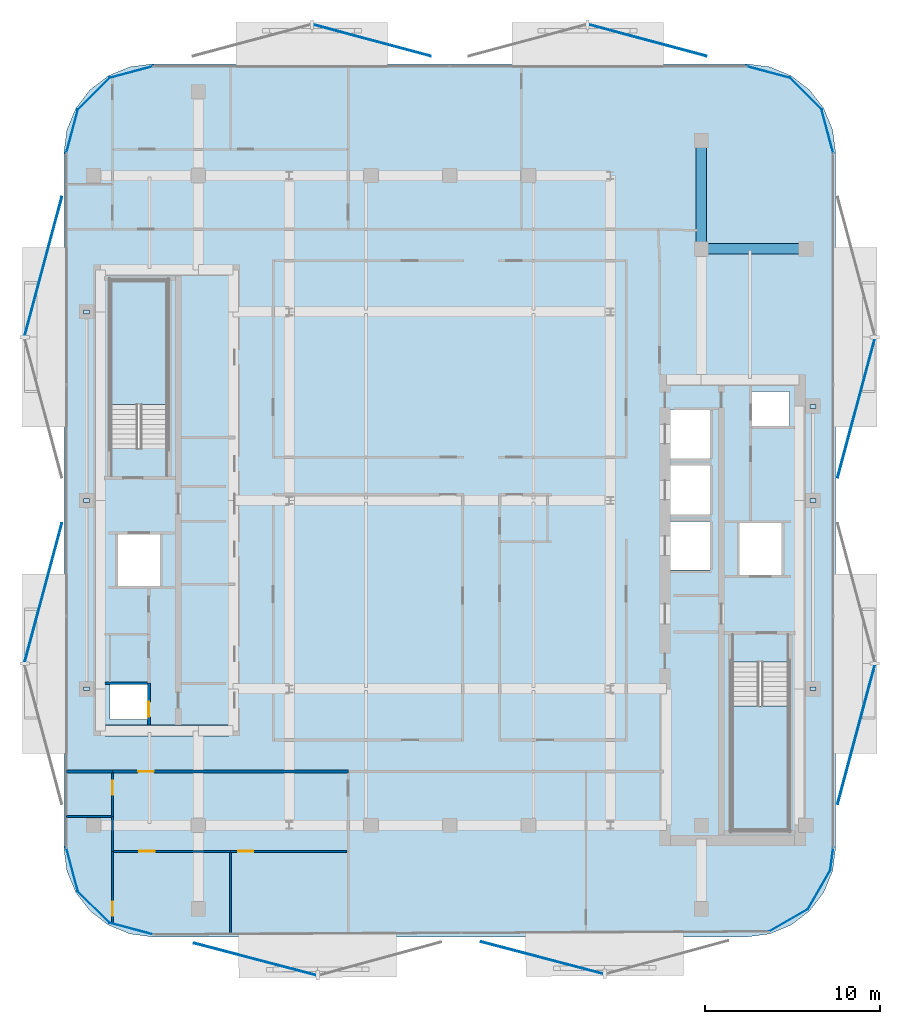
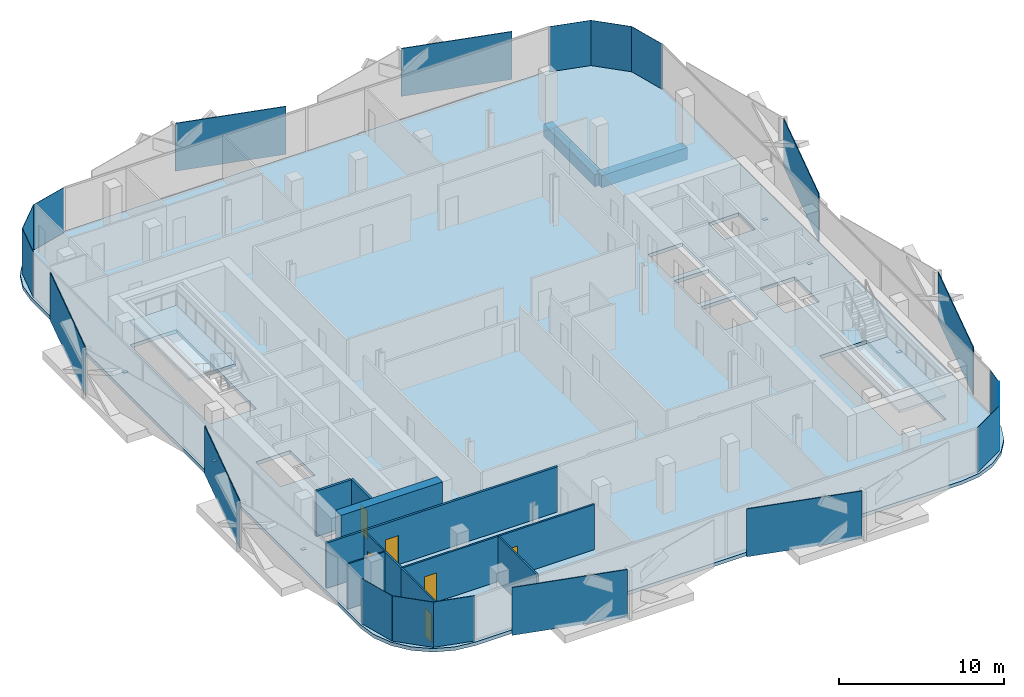
# One storey, part 2 of 14: 26 plates, 12 walls, 6 doors, 3 slabs, 2 beams, 6 openings, 2 elements without a shape of their own.
"""IFC4 building model written with IfcOpenShell, lengths in metres."""

from ifc_helpers import new_model, si_unit, direction, frame, frame_2d, origin, origin_2d, place, context, subcontext, project, spatial, polyline, rectangle, outline, extrude, material, layer, layer_set, material_profile, profile_set, type_object, element, fill, aggregate, save


model = new_model("IFC4")

# Units and contexts
model_context = context("Model", 3, precision=1e-05, world=origin(), true_north=direction((0.0, 1.0)))
body_context = subcontext(model_context, "Body", "Model", "MODEL_VIEW")
ifc_project = project(units=[si_unit("LENGTHUNIT", "METRE"), si_unit("AREAUNIT", "SQUARE_METRE"), si_unit("VOLUMEUNIT", "CUBIC_METRE"), si_unit("PLANEANGLEUNIT", "RADIAN"), si_unit("MASSUNIT", "GRAM", prefix="KILO")], contexts=[model_context])

# Site, building, storey
site_placement = place(None, origin())
site = spatial("IfcSite", under=ifc_project, at=site_placement, CompositionType="ELEMENT")
building_placement = place(site_placement, origin())
building = spatial("IfcBuilding", under=site, at=building_placement, Name="Khairoan Windgate Tower", CompositionType="ELEMENT")
storey_placement = place(building_placement, frame((0.0, 0.0, 236.800048828125)))
storey = spatial("IfcBuildingStorey", under=building, at=storey_placement, Name="L55", CompositionType="ELEMENT", Elevation=236.800048828125)

# Beams
ifc_material_1 = material(Name="Concrete C50/60", Category="concrete")
ifc_material_profile = material_profile(ifc_material_1, rectangle(XDim=0.60009765625, YDim=0.89990234375, at=origin_2d()))
ifc_profile_set = profile_set([ifc_material_profile], Name="Concrete C50/60")
beam_type = type_object("IfcBeamType", Name="Beam B-RC1 RC600x900", PredefinedType="BEAM", material=ifc_profile_set)
beam_1_placement = place(storey_placement, frame((14.39990234375, 14.39990234375, -0.7099609375), z_axis=(1.0, 0.0, 0.0), x_axis=(0.0, 1.0, 0.0)))
element("IfcBeam", 1, at=beam_1_placement, inside=storey, type_object=beam_type, Name="L55 E-W Primary Girder 21", PredefinedType="BEAM", context=body_context, shape_type="SweptSolid", body=[
    extrude(rectangle(XDim=0.60009765625, YDim=0.89990234375, at=origin_2d()), origin(), (0.0, 0.0, 1.0), 6.0),
])
beam_2_placement = place(storey_placement, frame((14.39990234375, 14.39990234375, -0.7099609375), z_axis=(0.0, 1.0, 0.0), x_axis=(-1.0, 0.0, 0.0)))
element("IfcBeam", 2, at=beam_2_placement, inside=storey, type_object=beam_type, Name="L55 N-S Primary Beam 53", PredefinedType="BEAM", context=body_context, shape_type="SweptSolid", body=[
    extrude(rectangle(XDim=0.60009765625, YDim=0.89990234375, at=origin_2d()), origin(), (0.0, 0.0, 1.0), 6.2001953125),
])

# Plates
ifc_material_2 = material(Name="Low-E Solar Control Laminated Glass", Category="glass")
ifc_layer_1 = layer(ifc_material_2, 0.030029296875, Name="Low-E Solar Control Laminated Glass")
ifc_layer_set_1 = layer_set([ifc_layer_1], Name="Low-E Solar Control Laminated Glass")
plate_type_1 = type_object("IfcPlateType", Name="Aerodynamic Wind-Corner Curved Glazing Plate", PredefinedType="USERDEFINED", material=ifc_layer_set_1)
plate_1_placement = place(storey_placement, frame((-18.235107421875, -24.527099609375, 0.0), z_axis=(0.0, 0.0, 1.0), x_axis=(-0.966061211211, 0.258313252067, 0.0)))
element("IfcPlate", 3, at=plate_1_placement, inside=storey, type_object=plate_type_1, Name="L55 Aerodynamic Wind-Corner Curved Glazing Panel 2", ObjectType="GLAZING PANEL", PredefinedType="USERDEFINED", context=body_context, shape_type="SweptSolid", body=[
    extrude(rectangle(XDim=2.6162109375, YDim=0.030029296875, at=origin_2d()), origin(), (0.0, 0.0, 1.0), 3.340087890625),
])
plate_2_placement = place(storey_placement, frame((-20.386962890625, -23.286865234375, 0.0), z_axis=(0.0, 0.0, 1.0), x_axis=(-0.707106781187, 0.707106781187, 0.0)))
element("IfcPlate", 4, at=plate_2_placement, inside=storey, type_object=plate_type_1, Name="L55 Aerodynamic Wind-Corner Curved Glazing Panel 3", ObjectType="GLAZING PANEL", PredefinedType="USERDEFINED", context=body_context, shape_type="SweptSolid", body=[
    extrude(rectangle(XDim=2.606689453125, YDim=0.030029296875, at=origin_2d()), origin(), (0.0, 0.0, 1.0), 3.340087890625),
])
for number, where, z_axis, x_axis, name in (
    (5, (-21.627197265625, -21.135009765625, 0.0), (0.0, 0.0, 1.0), (-0.258313252067, 0.966061211211, 0.0), "L55 Aerodynamic Wind-Corner Curved Glazing Panel 4"),
    (6, (-21.627197265625, 21.135009765625, 0.0), (0.0, 0.0, 1.0), (0.258313252067, 0.966061211211, 0.0), "L55 Aerodynamic Wind-Corner Curved Glazing Panel 6"),
):
    element("IfcPlate", number, at=place(storey_placement, frame(where, z_axis=z_axis, x_axis=x_axis)), inside=storey, type_object=plate_type_1, Name=name, ObjectType="GLAZING PANEL", PredefinedType="USERDEFINED", context=body_context, shape_type="SweptSolid", body=[
        extrude(rectangle(XDim=2.6162109375, YDim=0.030029296875, at=origin_2d()), origin(), (0.0, 0.0, 1.0), 3.340087890625),
    ])
plate_3_placement = place(storey_placement, frame((-20.386962890625, 23.286865234375, 0.0), z_axis=(0.0, 0.0, 1.0), x_axis=(0.707106781187, 0.707106781187, 0.0)))
element("IfcPlate", 7, at=plate_3_placement, inside=storey, type_object=plate_type_1, Name="L55 Aerodynamic Wind-Corner Curved Glazing Panel 7", ObjectType="GLAZING PANEL", PredefinedType="USERDEFINED", context=body_context, shape_type="SweptSolid", body=[
    extrude(rectangle(XDim=2.606689453125, YDim=0.030029296875, at=origin_2d()), origin(), (0.0, 0.0, 1.0), 3.340087890625),
])
for number, where, z_axis, x_axis, name in (
    (8, (-18.235107421875, 24.527099609375, 0.0), (0.0, 0.0, 1.0), (0.966061211211, 0.258313252067, 0.0), "L55 Aerodynamic Wind-Corner Curved Glazing Panel 8"),
    (9, (18.235107421875, 24.527099609375, 0.0), (0.0, 0.0, 1.0), (0.966061211211, -0.258313252067, 0.0), "L55 Aerodynamic Wind-Corner Curved Glazing Panel 10"),
):
    element("IfcPlate", number, at=place(storey_placement, frame(where, z_axis=z_axis, x_axis=x_axis)), inside=storey, type_object=plate_type_1, Name=name, ObjectType="GLAZING PANEL", PredefinedType="USERDEFINED", context=body_context, shape_type="SweptSolid", body=[
        extrude(rectangle(XDim=2.6162109375, YDim=0.030029296875, at=origin_2d()), origin(), (0.0, 0.0, 1.0), 3.340087890625),
    ])
plate_4_placement = place(storey_placement, frame((20.386962890625, 23.286865234375, 0.0), z_axis=(0.0, 0.0, 1.0), x_axis=(0.707106781187, -0.707106781187, 0.0)))
element("IfcPlate", 10, at=plate_4_placement, inside=storey, type_object=plate_type_1, Name="L55 Aerodynamic Wind-Corner Curved Glazing Panel 11", ObjectType="GLAZING PANEL", PredefinedType="USERDEFINED", context=body_context, shape_type="SweptSolid", body=[
    extrude(rectangle(XDim=2.606689453125, YDim=0.030029296875, at=origin_2d()), origin(), (0.0, 0.0, 1.0), 3.340087890625),
])
plate_5_placement = place(storey_placement, frame((21.627197265625, 21.135009765625, 0.0), z_axis=(0.0, 0.0, 1.0), x_axis=(0.258313252067, -0.966061211211, 0.0)))
element("IfcPlate", 11, at=plate_5_placement, inside=storey, type_object=plate_type_1, Name="L55 Aerodynamic Wind-Corner Curved Glazing Panel 12", ObjectType="GLAZING PANEL", PredefinedType="USERDEFINED", context=body_context, shape_type="SweptSolid", body=[
    extrude(rectangle(XDim=2.6162109375, YDim=0.030029296875, at=origin_2d()), origin(), (0.0, 0.0, 1.0), 3.340087890625),
])
plate_6_placement = place(storey_placement, frame((21.875, -20.537109375, 0.0), z_axis=(0.0, 0.0, 1.0), x_axis=(-0.13052619222, -0.991444861374, 0.0)))
element("IfcPlate", 12, at=plate_6_placement, inside=storey, type_object=plate_type_1, Name="L55 Aerodynamic Wind-Corner Curved Glazing Panel 14", ObjectType="GLAZING PANEL", PredefinedType="USERDEFINED", context=body_context, shape_type="SweptSolid", body=[
    extrude(rectangle(XDim=1.343994140625, YDim=0.030029296875, at=origin_2d()), origin(), (0.0, 0.0, 1.0), 3.340087890625),
])
for number, where, z_axis, x_axis, name in (
    (13, (21.148193359375, -22.294921875, 0.0), (0.0, 0.0, 1.0), (-0.5, -0.866025403784, 0.0), "L55 Aerodynamic Wind-Corner Curved Glazing Panel 15"),
    (14, (19.39501953125, -24.048095703125, 0.0), (0.0, 0.0, 1.0), (-0.866025403784, -0.5, 0.0), "L55 Aerodynamic Wind-Corner Curved Glazing Panel 16"),
):
    element("IfcPlate", number, at=place(storey_placement, frame(where, z_axis=z_axis, x_axis=x_axis)), inside=storey, type_object=plate_type_1, Name=name, ObjectType="GLAZING PANEL", PredefinedType="USERDEFINED", context=body_context, shape_type="SweptSolid", body=[
        extrude(rectangle(XDim=2.606689453125, YDim=0.030029296875, at=origin_2d()), origin(), (0.0, 0.0, 1.0), 3.340087890625),
    ])
ifc_material_3 = material(Name="Steel S355", Category="steel")
ifc_layer_2 = layer(ifc_material_3, 0.0400390625, Name="Steel S355")
ifc_layer_set_2 = layer_set([ifc_layer_2], Name="Steel S355")
plate_type_2 = type_object("IfcPlateType", Name="Hollow Section End-Cap Plate PL-CAP40", PredefinedType="SHEET", material=ifc_layer_set_2)
for number, where, z_axis, x_axis, name in (
    (15, (-20.800048828125, -10.784912109375, -0.43017578125), (0.0, 0.0, 1.0), (0.0, 1.0, 0.0), "BM-SP-L55-028 steel end-cap plate 1"),
    (16, (-20.800048828125, -0.014892578125, -0.43017578125), (0.0, 0.0, 1.0), (0.0, 1.0, 0.0), "BM-SP-L55-028 steel end-cap plate 2"),
    (17, (-20.800048828125, 10.784912109375, -0.43017578125), (0.0, 0.0, 1.0), (0.0, 1.0, 0.0), "BM-SP-L55-029 steel end-cap plate 2"),
    (18, (20.800048828125, -10.784912109375, -0.43017578125), (0.0, 0.0, 1.0), (0.0, 1.0, 0.0), "BM-SP-L55-057 steel end-cap plate 1"),
    (19, (20.800048828125, -0.014892578125, -0.43017578125), (0.0, 0.0, 1.0), (0.0, 1.0, 0.0), "BM-SP-L55-057 steel end-cap plate 2"),
    (20, (20.800048828125, 5.385009765625, -0.43017578125), (0.0, 0.0, 1.0), (0.0, 1.0, 0.0), "BM-SP-L55-058 steel end-cap plate 2"),
):
    element("IfcPlate", number, at=place(storey_placement, frame(where, z_axis=z_axis, x_axis=x_axis)), inside=storey, type_object=plate_type_2, Name=name, PredefinedType="SHEET", context=body_context, shape_type="SweptSolid", body=[
        extrude(rectangle(XDim=0.219970703125, YDim=0.320068359375, at=origin_2d()), origin(), (0.0, 0.0, 1.0), 0.0400390625),
    ])
ifc_material_4 = material(Name="Anodised Bronze Aluminium 6063-T6", Category="aluminium")
ifc_layer_3 = layer(ifc_material_4, 0.054931640625, Name="Anodised Bronze Aluminium 6063-T6")
ifc_layer_set_3 = layer_set([ifc_layer_3], Name="Anodised Bronze Aluminium 6063-T6")
plate_type_3 = type_object("IfcPlateType", Name="Perforated Bronze Solar Screen Upper Panel BSP-2", PredefinedType="USERDEFINED", material=ifc_layer_set_3)
for number, where, z_axis, x_axis, name in (
    (21, (5.289306640625, -26.196533203125, -0.10009765625), (0.0, 0.0, 1.0), (-0.967179115616, 0.254095569259, 0.0), "L55 Perforated Bronze Solar Screen Panel 369R"),
    (22, (-11.14794921875, -26.27587890625, -0.10009765625), (0.0, 0.0, 1.0), (-0.967179115616, 0.254095569259, 0.0), "L55 Perforated Bronze Solar Screen Panel 370R"),
):
    element("IfcPlate", number, at=place(storey_placement, frame(where, z_axis=z_axis, x_axis=x_axis)), inside=storey, type_object=plate_type_3, Name=name, ObjectType="SCREEN", PredefinedType="USERDEFINED", context=body_context, shape_type="SweptSolid", body=[
        extrude(rectangle(XDim=7.23193359375, YDim=0.054931640625, at=origin_2d()), origin(), (0.0, 0.0, 1.0), 3.5400390625),
    ])
for number, where, z_axis, x_axis, name in (
    (23, (-23.275634765625, -5.283447265625, -0.10009765625), (0.0, 0.0, 1.0), (0.258819045103, 0.965925826289, 0.0), "L55 Perforated Bronze Solar Screen Panel 371R"),
    (24, (-23.275634765625, 13.4072265625, -0.10009765625), (0.0, 0.0, 1.0), (0.258819045103, 0.965925826289, 0.0), "L55 Perforated Bronze Solar Screen Panel 372R"),
):
    element("IfcPlate", number, at=place(storey_placement, frame(where, z_axis=z_axis, x_axis=x_axis)), inside=storey, type_object=plate_type_3, Name=name, ObjectType="SCREEN", PredefinedType="USERDEFINED", context=body_context, shape_type="SweptSolid", body=[
        extrude(rectangle(XDim=8.22412109375, YDim=0.054931640625, at=origin_2d()), origin(), (0.0, 0.0, 1.0), 3.5400390625),
    ])
for number, where, z_axis, x_axis, name in (
    (25, (-4.44970703125, 26.3408203125, -0.10009765625), (0.0, 0.0, 1.0), (0.965925826289, -0.258819045103, 0.0), "L55 Perforated Bronze Solar Screen Panel 373R"),
    (26, (11.341064453125, 26.3408203125, -0.10009765625), (0.0, 0.0, 1.0), (0.965925826289, -0.258819045103, 0.0), "L55 Perforated Bronze Solar Screen Panel 374R"),
):
    element("IfcPlate", number, at=place(storey_placement, frame(where, z_axis=z_axis, x_axis=x_axis)), inside=storey, type_object=plate_type_3, Name=name, ObjectType="SCREEN", PredefinedType="USERDEFINED", context=body_context, shape_type="SweptSolid", body=[
        extrude(rectangle(XDim=6.947998046875, YDim=0.054931640625, at=origin_2d()), origin(), (0.0, 0.0, 1.0), 3.5400390625),
    ])
for number, where, z_axis, x_axis, name in (
    (27, (23.275634765625, 5.283447265625, -0.10009765625), (0.0, 0.0, 1.0), (-0.258819045103, -0.965925826289, 0.0), "L55 Perforated Bronze Solar Screen Panel 375R"),
    (28, (23.275634765625, -13.4072265625, -0.10009765625), (0.0, 0.0, 1.0), (-0.258819045103, -0.965925826289, 0.0), "L55 Perforated Bronze Solar Screen Panel 376R"),
):
    element("IfcPlate", number, at=place(storey_placement, frame(where, z_axis=z_axis, x_axis=x_axis)), inside=storey, type_object=plate_type_3, Name=name, ObjectType="SCREEN", PredefinedType="USERDEFINED", context=body_context, shape_type="SweptSolid", body=[
        extrude(rectangle(XDim=8.22412109375, YDim=0.054931640625, at=origin_2d()), origin(), (0.0, 0.0, 1.0), 3.5400390625),
    ])

# Stair, slab
ifc_material_5 = material(Name="Concrete C40/50", Category="concrete")
stair_type = type_object("IfcStairType", Name="Tower Core Dog-Leg Stair ST-T1 1560mm", PredefinedType="HALF_TURN_STAIR", material=ifc_material_5)
stair_1_placement = place(storey_placement, origin())
stair_1 = element("IfcStair", 29, at=stair_1_placement, inside=storey, type_object=stair_type, Name="L55 Stair ST1", PredefinedType="HALF_TURN_STAIR")
ifc_material_6 = material(Name="Concrete C40/50", Category="concrete")
ifc_layer_4 = layer(ifc_material_6, 0.199951171875, Name="Concrete C40/50")
ifc_layer_set_4 = layer_set([ifc_layer_4], Name="Concrete C40/50")
slab_type_1 = type_object("IfcSlabType", Name="Reinforced Concrete Stair Landing Slab STL-200", PredefinedType="LANDING", material=ifc_layer_set_4)
slab_1_placement = place(storey_placement, frame((0.0, 0.0, 1.599853515625)))
slab_1 = element("IfcSlab", 30, at=slab_1_placement, type_object=slab_type_1, Name="ST1 landing 1", PredefinedType="LANDING", context=body_context, shape_type="SweptSolid", body=[
    extrude(outline(polyline([(16.14990234375, -11.780029296875), (16.14990234375, -18.89990234375), (19.419921875, -18.89990234375), (19.419921875, -11.780029296875), (16.14990234375, -11.780029296875)])), origin(), (0.0, 0.0, 1.0), 0.2001953125),
])
aggregate(stair_1, [slab_1])

stair_2_placement = place(storey_placement, origin())
stair_2 = element("IfcStair", 31, at=stair_2_placement, inside=storey, type_object=stair_type, Name="L55 Stair ST2", PredefinedType="HALF_TURN_STAIR")
slab_2_placement = place(storey_placement, frame((0.0, 0.0, 1.599853515625)))
slab_2 = element("IfcSlab", 32, at=slab_2_placement, type_object=slab_type_1, Name="ST2 landing 1", PredefinedType="LANDING", context=body_context, shape_type="SweptSolid", body=[
    extrude(outline(polyline([(-16.14990234375, 5.47998046875), (-16.14990234375, 12.60009765625), (-19.419921875, 12.60009765625), (-19.419921875, 5.47998046875), (-16.14990234375, 5.47998046875)])), origin(), (0.0, 0.0, 1.0), 0.2001953125),
])
aggregate(stair_2, [slab_2])

# Slab
ifc_material_7 = material(Name="Concrete C40/50", Category="concrete")
ifc_layer_5 = layer(ifc_material_7, 0.260009765625, Name="Concrete C40/50")
ifc_layer_set_5 = layer_set([ifc_layer_5], Name="Concrete C40/50")
slab_type_2 = type_object("IfcSlabType", Name="Tower Composite Floor Slab FS2 260mm", PredefinedType="FLOOR", material=ifc_layer_set_5)
slab_3_placement = place(storey_placement, frame((0.0, 0.0, -0.260009765625)))
element("IfcSlab", 33, at=slab_3_placement, inside=storey, type_object=slab_type_2, Name="L55 Structural Floor Slab", PredefinedType="FLOOR", context=body_context, shape_type="SweptSolid", body=[
    extrude(outline(polyline([(17.0, -25.0), (18.320068359375, -24.826171875), (19.550048828125, -24.316650390625), (20.606201171875, -23.506103515625), (21.416748046875, -22.449951171875), (21.92626953125, -21.219970703125), (22.10009765625, -19.89990234375), (22.10009765625, 19.89990234375), (21.92626953125, 21.219970703125), (21.416748046875, 22.449951171875), (20.606201171875, 23.506103515625), (19.550048828125, 24.316650390625), (18.320068359375, 24.826171875), (17.0, 25.0), (-17.0, 25.0), (-18.320068359375, 24.826171875), (-19.550048828125, 24.316650390625), (-20.606201171875, 23.506103515625), (-21.416748046875, 22.449951171875), (-21.92626953125, 21.219970703125), (-22.10009765625, 19.89990234375), (-22.10009765625, -19.89990234375), (-21.92626953125, -21.219970703125), (-21.416748046875, -22.449951171875), (-20.606201171875, -23.506103515625), (-19.550048828125, -24.316650390625), (-18.320068359375, -24.826171875), (-17.0, -25.0), (17.0, -25.0)]), holes=[polyline([(16.14990234375, -9.260009765625), (16.14990234375, -18.89990234375), (19.419921875, -18.89990234375), (19.419921875, -9.260009765625), (16.14990234375, -9.260009765625)]), polyline([(-16.14990234375, 2.9599609375), (-16.14990234375, 12.60009765625), (-19.419921875, 12.60009765625), (-19.419921875, 2.9599609375), (-16.14990234375, 2.9599609375)]), polyline([(12.5, 2.39990234375), (14.89990234375, 2.39990234375), (14.89990234375, 5.199951171875), (12.5, 5.199951171875), (12.5, 2.39990234375)]), polyline([(12.5, -0.800048828125), (14.89990234375, -0.800048828125), (14.89990234375, 2.0), (12.5, 2.0), (12.5, -0.800048828125)]), polyline([(12.5, -4.0), (14.89990234375, -4.0), (14.89990234375, -1.199951171875), (12.5, -1.199951171875), (12.5, -4.0)]), polyline([(16.60009765625, -4.300048828125), (19.0, -4.300048828125), (19.0, -1.300048828125), (16.60009765625, -1.300048828125), (16.60009765625, -4.300048828125)]), polyline([(-19.0, -4.89990234375), (-16.60009765625, -4.89990234375), (-16.60009765625, -1.89990234375), (-19.0, -1.89990234375), (-19.0, -4.89990234375)]), polyline([(-19.449951171875, -12.550048828125), (-17.31005859375, -12.550048828125), (-17.31005859375, -10.550048828125), (-19.449951171875, -10.550048828125), (-19.449951171875, -12.550048828125)]), polyline([(17.31005859375, 4.25), (19.449951171875, 4.25), (19.449951171875, 6.25), (17.31005859375, 6.25), (17.31005859375, 4.25)])]), origin(), (0.0, 0.0, 1.0), 0.260009765625),
])

# Wall
ifc_material_8 = material(Name="Moisture-Resistant Gypsum Partition", Category="gypsum")
ifc_layer_6 = layer(ifc_material_8, 0.10009765625, Name="Moisture-Resistant Gypsum Partition")
ifc_layer_set_6 = layer_set([ifc_layer_6], Name="Moisture-Resistant Gypsum Partition")
wall_type_1 = type_object("IfcWallType", Name="Bathroom Wet-Area Partition Wall", PredefinedType="PARTITIONING", material=ifc_layer_set_6)
wall_1_placement = place(storey_placement, frame((-21.955078125, -18.10009765625, 0.0), z_axis=(0.0, 0.0, 1.0), x_axis=(1.0, 0.0, 0.0)))
element("IfcWall", 34, at=wall_1_placement, inside=storey, type_object=wall_type_1, Name="L55 Interior Partition 047", PredefinedType="PARTITIONING", context=body_context, shape_type="SweptSolid", body=[
    extrude(rectangle(XDim=2.594970703125, YDim=0.10009765625, at=frame_2d((1.29736328125, 0.0))), origin(), (0.0, 0.0, 1.0), 3.33984375),
])

# Wall, opening, door
wall_2_placement = place(storey_placement, frame((-19.31005859375, -18.10009765625, 0.0), z_axis=(0.0, 0.0, 1.0), x_axis=(0.0, 1.0, 0.0)))
wall_2 = element("IfcWall", 35, at=wall_2_placement, inside=storey, type_object=wall_type_1, Name="L55 Interior Partition 048", PredefinedType="PARTITIONING", context=body_context, shape_type="SweptSolid", body=[
    extrude(rectangle(XDim=2.5, YDim=0.10009765625, at=frame_2d((1.25, 0.0))), origin(), (0.0, 0.0, 1.0), 3.33984375),
])
opening_1_placement = place(wall_2_placement, frame((1.239990234375, 0.0, 0.0)))
opening_1 = element("IfcOpeningElement", 36, at=opening_1_placement, cuts=wall_2, Name="Opening ID-BTH", PredefinedType="OPENING", context=body_context, shape_type="SweptSolid", body=[
    extrude(rectangle(XDim=0.800048828125, YDim=2.10009765625, at=frame_2d((0.39990234375, 1.050048828125))), frame((0.0, 0.06005859375, 0.0), z_axis=(0.0, -1.0, 0.0), x_axis=(1.0, 0.0, 0.0)), (0.0, 0.0, 1.0), 0.1201171875),
])
ifc_material_9 = material(Name="Teak Veneer Timber Leaf", Category="wood")
door_type_1 = type_object("IfcDoorType", Name="Internal Bathroom Door ID-BTH 800x2100", OperationType="NOTDEFINED", PredefinedType="DOOR", material=ifc_material_9)
door_1_placement = place(opening_1_placement, origin())
door_1 = element("IfcDoor", 37, at=door_1_placement, inside=storey, type_object=door_type_1, Name="L55 L55-39-L55-41 Door", OperationType="SINGLE_SWING_LEFT", OverallHeight=2.10009765625, OverallWidth=0.800048828125, PredefinedType="DOOR", context=body_context, shape_type="SweptSolid", body=[
    extrude(rectangle(XDim=0.800048828125, YDim=2.10009765625, at=frame_2d((0.39990234375, 1.050048828125))), frame((0.0, 0.02490234375, 0.0), z_axis=(0.0, -1.0, 0.0), x_axis=(1.0, 0.0, 0.0)), (0.0, 0.0, 1.0), 0.050048828125),
])
fill(opening_1, door_1)

# Wall
ifc_material_10 = material(Name="Gypsum Stud Partition", Category="gypsum")
ifc_layer_7 = layer(ifc_material_10, 0.1201171875, Name="Gypsum Stud Partition")
ifc_layer_set_7 = layer_set([ifc_layer_7], Name="Gypsum Stud Partition")
wall_type_2 = type_object("IfcWallType", Name="Internal Room Partition Wall", PredefinedType="PARTITIONING", material=ifc_layer_set_7)
wall_3_placement = place(storey_placement, frame((-19.31005859375, -20.10009765625, 0.0), z_axis=(0.0, 0.0, 1.0), x_axis=(0.0, 1.0, 0.0)))
element("IfcWall", 38, at=wall_3_placement, inside=storey, type_object=wall_type_2, Name="L55 Interior Partition 049", PredefinedType="PARTITIONING", context=body_context, shape_type="SweptSolid", body=[
    extrude(rectangle(XDim=2.0, YDim=0.1201171875, at=frame_2d((1.0, 0.0))), origin(), (0.0, 0.0, 1.0), 3.33984375),
])

# Wall, opening, door
wall_4_placement = place(storey_placement, frame((-19.31005859375, -24.234619140625, 0.0), z_axis=(0.0, 0.0, 1.0), x_axis=(0.0, 1.0, 0.0)))
wall_4 = element("IfcWall", 39, at=wall_4_placement, inside=storey, type_object=wall_type_2, Name="L55 Interior Partition 050", PredefinedType="PARTITIONING", context=body_context, shape_type="SweptSolid", body=[
    extrude(rectangle(XDim=4.134521484375, YDim=0.1201171875, at=frame_2d((2.0673828125, 0.0))), origin(), (0.0, 0.0, 1.0), 3.33984375),
])
opening_2_placement = place(wall_4_placement, frame((0.4599609375, 0.0, 0.0)))
opening_2 = element("IfcOpeningElement", 40, at=opening_2_placement, cuts=wall_4, Name="Opening ID-BTH", PredefinedType="OPENING", context=body_context, shape_type="SweptSolid", body=[
    extrude(rectangle(XDim=0.800048828125, YDim=2.10009765625, at=frame_2d((0.39990234375, 1.050048828125))), frame((0.0, 0.070068359375, 0.0), z_axis=(0.0, -1.0, 0.0), x_axis=(1.0, 0.0, 0.0)), (0.0, 0.0, 1.0), 0.14013671875),
])
door_2_placement = place(opening_2_placement, origin())
door_2 = element("IfcDoor", 41, at=door_2_placement, inside=storey, type_object=door_type_1, Name="L55 L55-40-L55-44 Door", OperationType="SINGLE_SWING_LEFT", OverallHeight=2.10009765625, OverallWidth=0.800048828125, PredefinedType="DOOR", context=body_context, shape_type="SweptSolid", body=[
    extrude(rectangle(XDim=0.800048828125, YDim=2.10009765625, at=frame_2d((0.39990234375, 1.050048828125))), frame((0.0, 0.02490234375, 0.0), z_axis=(0.0, -1.0, 0.0), x_axis=(1.0, 0.0, 0.0)), (0.0, 0.0, 1.0), 0.050048828125),
])
fill(opening_2, door_2)

wall_5_placement = place(storey_placement, frame((-19.25, -20.10009765625, 0.0), z_axis=(0.0, 0.0, 1.0), x_axis=(1.0, 0.0, 0.0)))
wall_5 = element("IfcWall", 42, at=wall_5_placement, inside=storey, type_object=wall_type_2, Name="L55 Interior Partition 052", PredefinedType="PARTITIONING", context=body_context, shape_type="SweptSolid", body=[
    extrude(rectangle(XDim=6.68994140625, YDim=0.1201171875, at=frame_2d((3.344970703125, 0.0))), origin(), (0.0, 0.0, 1.0), 3.33984375),
])
opening_3_placement = place(wall_5_placement, frame((1.48291015625, 0.0, 0.0)))
opening_3 = element("IfcOpeningElement", 43, at=opening_3_placement, cuts=wall_5, Name="Opening ID-RM", PredefinedType="OPENING", context=body_context, shape_type="SweptSolid", body=[
    extrude(rectangle(XDim=0.860107421875, YDim=2.14990234375, at=frame_2d((0.43017578125, 1.074951171875))), frame((0.0, 0.070068359375, 0.0), z_axis=(0.0, -1.0, 0.0), x_axis=(1.0, 0.0, 0.0)), (0.0, 0.0, 1.0), 0.14013671875),
])
ifc_material_11 = material(Name="Teak Veneer Timber Leaf", Category="wood")
door_type_2 = type_object("IfcDoorType", Name="Internal Bedroom and Office Door ID-RM 860x2150", OperationType="NOTDEFINED", PredefinedType="DOOR", material=ifc_material_11)
door_3_placement = place(opening_3_placement, origin())
door_3 = element("IfcDoor", 44, at=door_3_placement, inside=storey, type_object=door_type_2, Name="L55 L55-41-L55-44 Door", OperationType="SINGLE_SWING_RIGHT", OverallHeight=2.14990234375, OverallWidth=0.860107421875, PredefinedType="DOOR", context=body_context, shape_type="SweptSolid", body=[
    extrude(rectangle(XDim=0.860107421875, YDim=2.14990234375, at=frame_2d((0.43017578125, 1.074951171875))), frame((0.0, 0.02490234375, 0.0), z_axis=(0.0, -1.0, 0.0), x_axis=(1.0, 0.0, 0.0)), (0.0, 0.0, 1.0), 0.050048828125),
])
fill(opening_3, door_3)

wall_6_placement = place(storey_placement, frame((-12.56005859375, -20.10009765625, 0.0), z_axis=(0.0, 0.0, 1.0), x_axis=(1.0, 0.0, 0.0)))
wall_6 = element("IfcWall", 45, at=wall_6_placement, inside=storey, type_object=wall_type_2, Name="L55 Interior Partition 053", PredefinedType="PARTITIONING", context=body_context, shape_type="SweptSolid", body=[
    extrude(rectangle(XDim=6.68994140625, YDim=0.1201171875, at=frame_2d((3.344970703125, 0.0))), origin(), (0.0, 0.0, 1.0), 3.33984375),
])
opening_4_placement = place(wall_6_placement, frame((0.4599609375, 0.0, 0.0)))
opening_4 = element("IfcOpeningElement", 46, at=opening_4_placement, cuts=wall_6, Name="Opening ID-RM", PredefinedType="OPENING", context=body_context, shape_type="SweptSolid", body=[
    extrude(rectangle(XDim=0.860107421875, YDim=2.14990234375, at=frame_2d((0.43017578125, 1.074951171875))), frame((0.0, 0.070068359375, 0.0), z_axis=(0.0, -1.0, 0.0), x_axis=(1.0, 0.0, 0.0)), (0.0, 0.0, 1.0), 0.14013671875),
])
door_4_placement = place(opening_4_placement, origin())
door_4 = element("IfcDoor", 47, at=door_4_placement, inside=storey, type_object=door_type_2, Name="L55 L55-41-L55-45 Door", OperationType="SINGLE_SWING_LEFT", OverallHeight=2.14990234375, OverallWidth=0.860107421875, PredefinedType="DOOR", context=body_context, shape_type="SweptSolid", body=[
    extrude(rectangle(XDim=0.860107421875, YDim=2.14990234375, at=frame_2d((0.43017578125, 1.074951171875))), frame((0.0, 0.02490234375, 0.0), z_axis=(0.0, -1.0, 0.0), x_axis=(1.0, 0.0, 0.0)), (0.0, 0.0, 1.0), 0.050048828125),
])
fill(opening_4, door_4)

# Wall
wall_7_placement = place(storey_placement, frame((-12.56005859375, -24.83349609375, 0.0), z_axis=(0.0, 0.0, 1.0), x_axis=(0.0, 1.0, 0.0)))
element("IfcWall", 48, at=wall_7_placement, inside=storey, type_object=wall_type_2, Name="L55 Interior Partition 056", PredefinedType="PARTITIONING", context=body_context, shape_type="SweptSolid", body=[
    extrude(rectangle(XDim=4.673583984375, YDim=0.1201171875, at=frame_2d((2.3369140625, 0.0))), origin(), (0.0, 0.0, 1.0), 3.33984375),
])

# Wall, opening, door
ifc_material_12 = material(Name="Concrete C40/50", Category="concrete")
ifc_layer_8 = layer(ifc_material_12, 0.159912109375, Name="Concrete C40/50")
ifc_layer_set_8 = layer_set([ifc_layer_8], Name="Concrete C40/50")
wall_type_3 = type_object("IfcWallType", Name="Plant and Refuge Compartment Wall", PredefinedType="PARTITIONING", material=ifc_layer_set_8)
wall_8_placement = place(storey_placement, frame((-17.22998046875, -12.85009765625, 0.0), z_axis=(0.0, 0.0, 1.0), x_axis=(0.0, 1.0, 0.0)))
wall_8 = element("IfcWall", 49, at=wall_8_placement, inside=storey, type_object=wall_type_3, Name="L55 Interior Partition 001", PredefinedType="PARTITIONING", context=body_context, shape_type="SweptSolid", body=[
    extrude(rectangle(XDim=2.380126953125, YDim=0.159912109375, at=frame_2d((1.18994140625, 0.0))), origin(), (0.0, 0.0, 1.0), 3.33984375),
])
opening_5_placement = place(wall_8_placement, frame((0.4599609375, 0.0, 0.0)))
opening_5 = element("IfcOpeningElement", 50, at=opening_5_placement, cuts=wall_8, Name="Opening FD-SRV", PredefinedType="OPENING", context=body_context, shape_type="SweptSolid", body=[
    extrude(rectangle(XDim=0.85009765625, YDim=2.10009765625, at=frame_2d((0.425048828125, 1.050048828125))), frame((0.0, 0.08984375, 0.0), z_axis=(0.0, -1.0, 0.0), x_axis=(1.0, 0.0, 0.0)), (0.0, 0.0, 1.0), 0.179931640625),
])
ifc_material_13 = material(Name="Steel S355", Category="steel")
door_type_3 = type_object("IfcDoorType", Name="Core Service and Riser Fire Door FD-SRV 850x2100", OperationType="NOTDEFINED", PredefinedType="DOOR", material=ifc_material_13)
door_5_placement = place(opening_5_placement, origin())
door_5 = element("IfcDoor", 51, at=door_5_placement, inside=storey, type_object=door_type_3, Name="L55 L55-04-L55-05 Door", OperationType="SINGLE_SWING_RIGHT", OverallHeight=2.10009765625, OverallWidth=0.85009765625, PredefinedType="DOOR", context=body_context, shape_type="SweptSolid", body=[
    extrude(rectangle(XDim=0.85009765625, YDim=2.10009765625, at=frame_2d((0.425048828125, 1.050048828125))), frame((0.0, 0.02490234375, 0.0), z_axis=(0.0, -1.0, 0.0), x_axis=(1.0, 0.0, 0.0)), (0.0, 0.0, 1.0), 0.050048828125),
])
fill(opening_5, door_5)

# Walls
wall_9_placement = place(storey_placement, frame((-19.75, -10.469970703125, 0.0), z_axis=(0.0, 0.0, 1.0), x_axis=(1.0, 0.0, 0.0)))
element("IfcWall", 52, at=wall_9_placement, inside=storey, type_object=wall_type_3, Name="L55 Interior Partition 004", PredefinedType="PARTITIONING", context=body_context, shape_type="SweptSolid", body=[
    extrude(rectangle(XDim=2.43994140625, YDim=0.159912109375, at=frame_2d((1.219970703125, 0.0))), origin(), (0.0, 0.0, 1.0), 3.33984375),
])
ifc_material_14 = material(Name="Acoustic Fire-Rated Gypsum Partition", Category="gypsum")
ifc_layer_9 = layer(ifc_material_14, 0.14990234375, Name="Acoustic Fire-Rated Gypsum Partition")
ifc_layer_set_9 = layer_set([ifc_layer_9], Name="Acoustic Fire-Rated Gypsum Partition")
wall_type_4 = type_object("IfcWallType", Name="Rated Corridor Partition Wall", PredefinedType="PARTITIONING", material=ifc_layer_set_9)
wall_10_placement = place(storey_placement, frame((-21.955078125, -15.52490234375, 0.0), z_axis=(0.0, 0.0, 1.0), x_axis=(1.0, 0.0, 0.0)))
element("IfcWall", 53, at=wall_10_placement, inside=storey, type_object=wall_type_4, Name="L55 Interior Partition 030", PredefinedType="PARTITIONING", context=body_context, shape_type="SweptSolid", body=[
    extrude(rectangle(XDim=2.64501953125, YDim=0.14990234375, at=frame_2d((1.322509765625, 0.0))), origin(), (0.0, 0.0, 1.0), 3.33984375),
])

# Wall, opening, door
wall_11_placement = place(storey_placement, frame((-19.31005859375, -15.52490234375, 0.0), z_axis=(0.0, 0.0, 1.0), x_axis=(1.0, 0.0, 0.0)))
wall_11 = element("IfcWall", 54, at=wall_11_placement, inside=storey, type_object=wall_type_4, Name="L55 Interior Partition 031", PredefinedType="PARTITIONING", context=body_context, shape_type="SweptSolid", body=[
    extrude(rectangle(XDim=13.5, YDim=0.14990234375, at=frame_2d((6.75, 0.0))), origin(), (0.0, 0.0, 1.0), 3.33984375),
])
opening_6_placement = place(wall_11_placement, frame((1.466796875, 0.0, 0.0)))
opening_6 = element("IfcOpeningElement", 55, at=opening_6_placement, cuts=wall_11, Name="Opening FD-ENT", PredefinedType="OPENING", context=body_context, shape_type="SweptSolid", body=[
    extrude(rectangle(XDim=0.89990234375, YDim=2.14990234375, at=frame_2d((0.449951171875, 1.074951171875))), frame((0.0, 0.0849609375, 0.0), z_axis=(0.0, -1.0, 0.0), x_axis=(1.0, 0.0, 0.0)), (0.0, 0.0, 1.0), 0.169921875),
])
ifc_material_15 = material(Name="Timber Fire-Rated Core", Category="wood")
door_type_4 = type_object("IfcDoorType", Name="Unit and Office Fire Entrance Door FD-ENT 900x2150", OperationType="NOTDEFINED", PredefinedType="DOOR", material=ifc_material_15)
door_6_placement = place(opening_6_placement, origin())
door_6 = element("IfcDoor", 56, at=door_6_placement, inside=storey, type_object=door_type_4, Name="L55 L55-31-L55-41 Door", OperationType="SINGLE_SWING_LEFT", OverallHeight=2.14990234375, OverallWidth=0.89990234375, PredefinedType="DOOR", context=body_context, shape_type="SweptSolid", body=[
    extrude(rectangle(XDim=0.89990234375, YDim=2.14990234375, at=frame_2d((0.449951171875, 1.074951171875))), frame((0.0, 0.02490234375, 0.0), z_axis=(0.0, -1.0, 0.0), x_axis=(1.0, 0.0, 0.0)), (0.0, 0.0, 1.0), 0.050048828125),
])
fill(opening_6, door_6)

# Wall
ifc_material_16 = material(Name="Concrete C60/75", Category="concrete")
ifc_layer_10 = layer(ifc_material_16, 0.64990234375, Name="Concrete C60/75")
ifc_layer_set_10 = layer_set([ifc_layer_10], Name="Concrete C60/75")
wall_type_5 = type_object("IfcWallType", Name="Shear Wall CW-W2 650mm", PredefinedType="SHEAR", material=ifc_layer_set_10)
wall_12_placement = place(storey_placement, frame((-19.75, -13.175048828125, 0.0), z_axis=(0.0, 0.0, 1.0), x_axis=(1.0, 0.0, 0.0)))
element("IfcWall", 57, at=wall_12_placement, inside=storey, type_object=wall_type_5, Name="W Core South Shear Wall L55", PredefinedType="SHEAR", context=body_context, shape_type="SweptSolid", body=[
    extrude(rectangle(XDim=7.10009765625, YDim=0.64990234375, at=frame_2d((3.550048828125, 0.0))), origin(), (0.0, 0.0, 1.0), 3.33984375),
])

save(model, "model.ifc")
